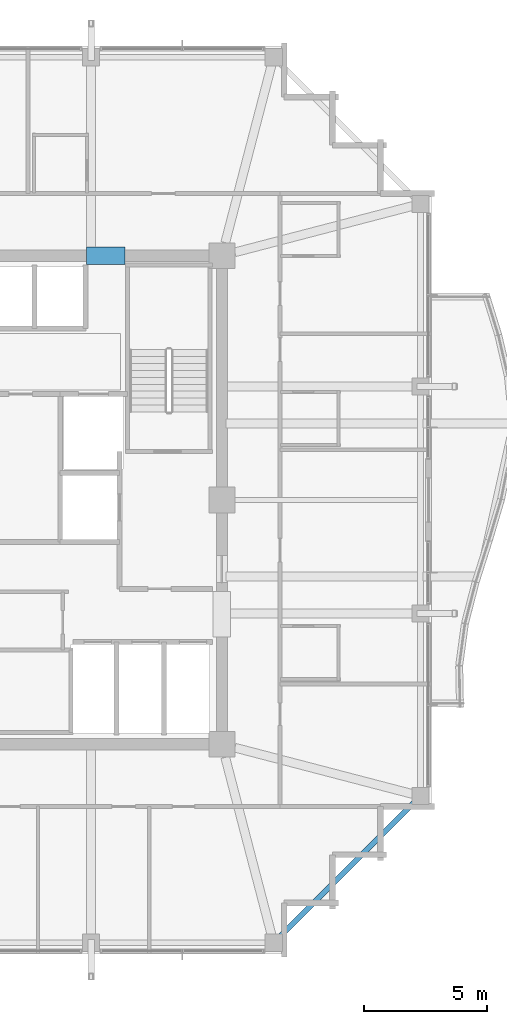
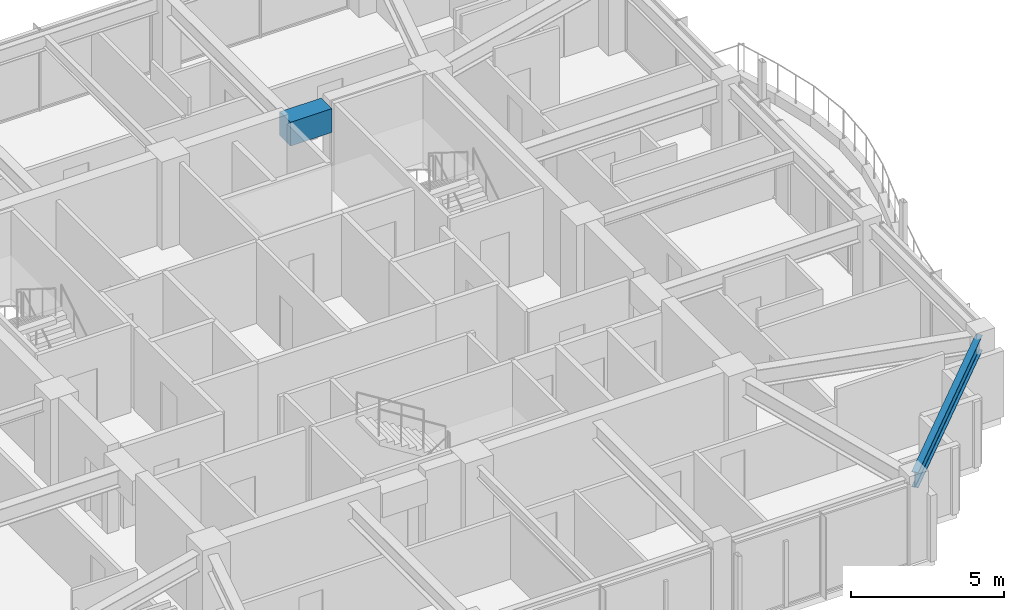
# One storey, part 10 of 29: 2 beams.
"""IFC4 building model written with IfcOpenShell, lengths in metres."""

from ifc_helpers import new_model, si_unit, direction, frame, origin, origin_2d, place, context, subcontext, project, spatial, rectangle, i_section, extrude, material, material_profile, profile_set, type_object, element, save


model = new_model("IFC4")

# Units and contexts
model_context = context("Model", 3, precision=1e-05, world=origin(), true_north=direction((0.0, 1.0)))
body_context = subcontext(model_context, "Body", "Model", "MODEL_VIEW")
ifc_project = project(units=[si_unit("LENGTHUNIT", "METRE"), si_unit("AREAUNIT", "SQUARE_METRE"), si_unit("VOLUMEUNIT", "CUBIC_METRE"), si_unit("PLANEANGLEUNIT", "RADIAN"), si_unit("MASSUNIT", "GRAM", prefix="KILO")], contexts=[model_context])

# Site, building, storey
site_placement = place(None, origin())
site = spatial("IfcSite", under=ifc_project, at=site_placement, CompositionType="ELEMENT")
building_placement = place(site_placement, origin())
building = spatial("IfcBuilding", under=site, at=building_placement, Name="Kolvaren Belvedere", CompositionType="ELEMENT")
storey_placement = place(building_placement, frame((0.0, 0.0, 244.39990234375)))
storey = spatial("IfcBuildingStorey", under=building, at=storey_placement, Name="L71", CompositionType="ELEMENT", Elevation=244.39990234375)

# Beams
ifc_material_1 = material(Name="Concrete C60/75", Category="concrete")
ifc_material_profile_1 = material_profile(ifc_material_1, rectangle(XDim=0.699951171875, YDim=0.949951171875, at=origin_2d()), Name="RC 700X950")
ifc_profile_set_1 = profile_set([ifc_material_profile_1], Name="Concrete C60/75")
beam_type_1 = type_object("IfcBeamType", Name="BM-LINT-950", PredefinedType="LINTEL", material=ifc_profile_set_1)
beam_1_placement = place(storey_placement, frame((4.419921875, 9.89990234375, 2.775146484375), z_axis=(1.0, 0.0, 0.0), x_axis=(0.0, 1.0, 0.0)))
element("IfcBeam", 1, at=beam_1_placement, inside=storey, type_object=beam_type_1, Name="L71 North Core Coupling Lintel", PredefinedType="LINTEL", context=body_context, shape_type="SweptSolid", body=[
    extrude(rectangle(XDim=0.699951171875, YDim=0.949951171875, at=origin_2d()), origin(), (0.0, 0.0, 1.0), 1.56005859375),
])
ifc_material_2 = material(Name="Structural steel ASTM A992 Grade 50", Category="steel")
ifc_material_profile_2 = material_profile(ifc_material_2, i_section(OverallWidth=0.22900390625, OverallDepth=0.612060546875, WebThickness=0.011962890625, FlangeThickness=0.01953125, FilletRadius=0.01806640625, at=origin_2d()), Name="W24X84")
ifc_profile_set_2 = profile_set([ifc_material_profile_2], Name="Structural steel ASTM A992 Grade 50")
beam_type_2 = type_object("IfcBeamType", Name="BM-SPAN-W24X84", PredefinedType="SPANDREL", material=ifc_profile_set_2)
beam_2_placement = place(storey_placement, frame((12.111328125, -17.838623046875, 2.944091796875), z_axis=(0.707106781187, 0.707106781187, 0.0), x_axis=(-0.707106781187, 0.707106781187, 0.0)))
element("IfcBeam", 2, at=beam_2_placement, inside=storey, type_object=beam_type_2, Name="L71 Perimeter Spandrel S4-E1", PredefinedType="SPANDREL", context=body_context, shape_type="SweptSolid", body=[
    extrude(i_section(OverallWidth=0.22900390625, OverallDepth=0.612060546875, WebThickness=0.011962890625, FlangeThickness=0.01953125, FilletRadius=0.01806640625, at=origin_2d()), origin(), (0.0, 0.0, 1.0), 8.099609375),
])

save(model, "model.ifc")
